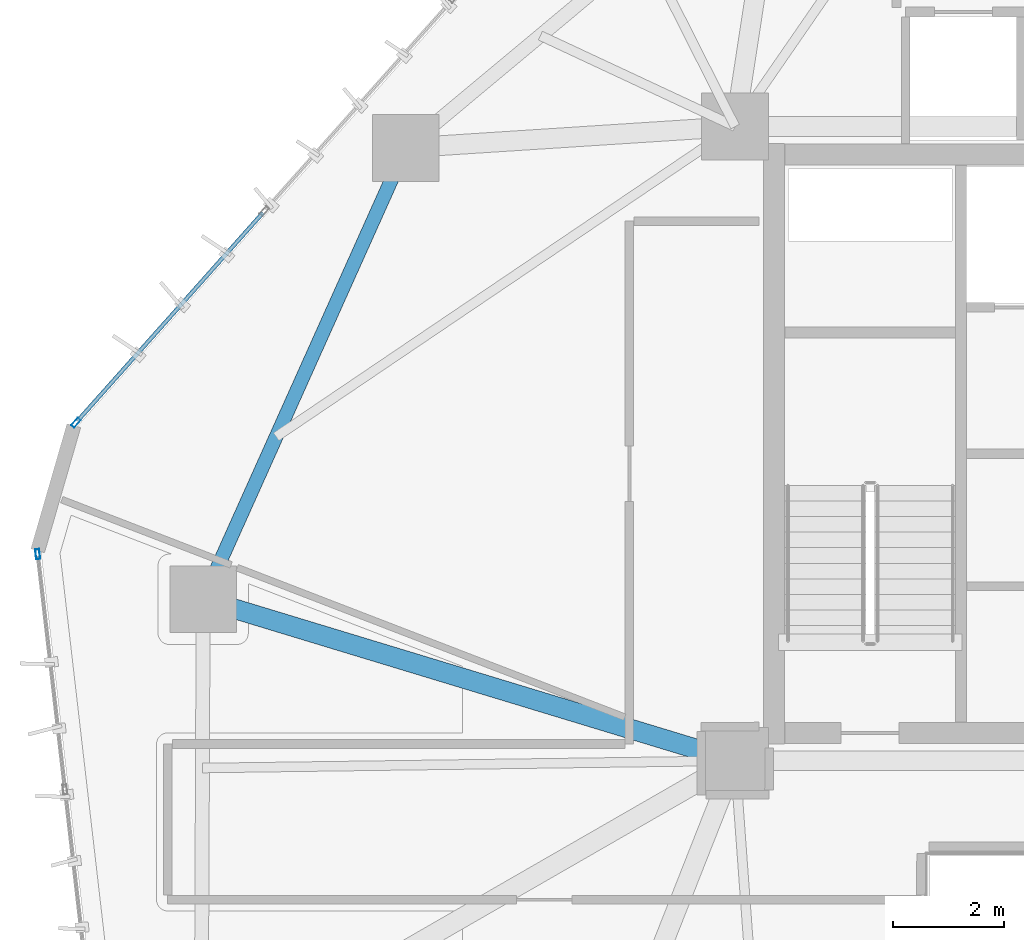
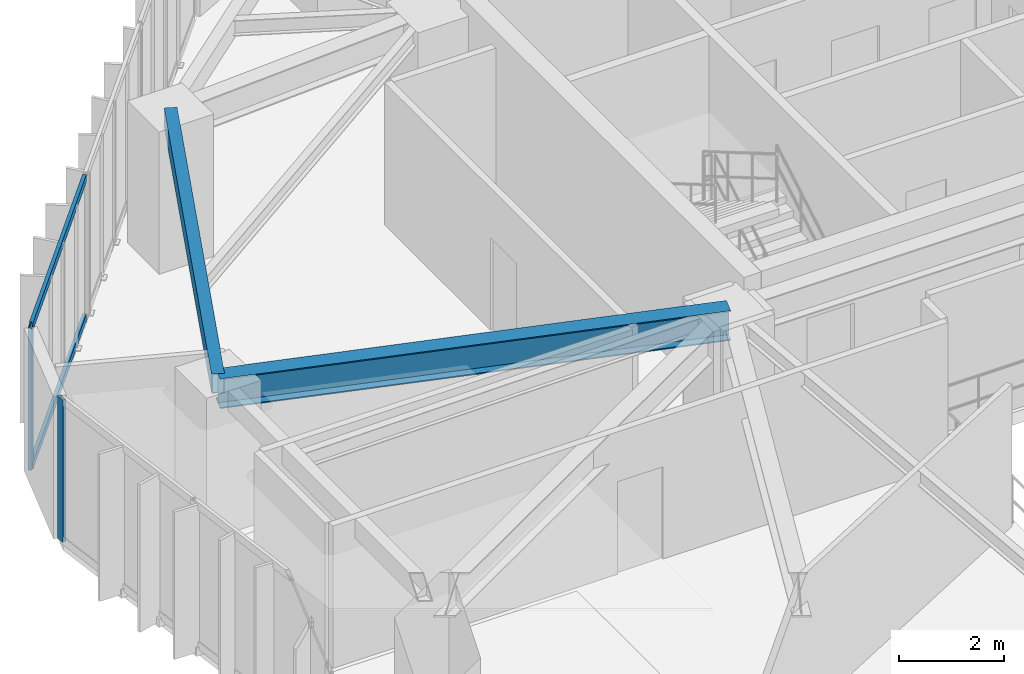
# One storey, part 9 of 23: 4 members, 2 beams, 2 elements without a shape of their own.
"""IFC4 building model written with IfcOpenShell, lengths in metres."""

from ifc_helpers import new_model, si_unit, direction, frame, origin, origin_2d, place, context, subcontext, project, spatial, hollow_rectangle, i_section, extrude, source, transform, mapped, material, layer, layer_set, material_profile, profile_set, type_object, type_shapes, element, aggregate, save


model = new_model("IFC4")

# Units and contexts
model_context = context("Model", 3, precision=1e-05, world=origin(), true_north=direction((0.0, 1.0)))
body_context = subcontext(model_context, "Body", "Model", "MODEL_VIEW")
ifc_project = project(units=[si_unit("LENGTHUNIT", "METRE"), si_unit("AREAUNIT", "SQUARE_METRE"), si_unit("VOLUMEUNIT", "CUBIC_METRE"), si_unit("PLANEANGLEUNIT", "RADIAN"), si_unit("MASSUNIT", "GRAM", prefix="KILO")], contexts=[model_context])

# Site, building, storey
site_placement = place(None, origin())
site = spatial("IfcSite", under=ifc_project, at=site_placement, CompositionType="ELEMENT")
building_placement = place(site_placement, origin())
building = spatial("IfcBuilding", under=site, at=building_placement, Name="Talar Marvaseh", CompositionType="ELEMENT")
storey_placement = place(building_placement, frame((0.0, 0.0, 103.800048828125)))
storey = spatial("IfcBuildingStorey", under=building, at=storey_placement, Name="L26", CompositionType="ELEMENT", Elevation=103.800048828125)

# Beams
ifc_material_1 = material(Name="Steel S355", Category="steel")
ifc_material_profile_1 = material_profile(ifc_material_1, hollow_rectangle(XDim=0.25, YDim=0.449951171875, WallThickness=0.01611328125, at=origin_2d()), Name="RHS450x250x16")
ifc_profile_set_1 = profile_set([ifc_material_profile_1], Name="Steel S355")
beam_type_1 = type_object("IfcBeamType", Name="Zone 2 Perimeter Spandrel Beam RHS450x250x16", PredefinedType="SPANDREL", material=ifc_profile_set_1)
beam_1_placement = place(storey_placement, frame((9.137939453125, 28.402099609375, 3.0849609375), z_axis=(0.409461733275, 0.912327292688, 0.0), x_axis=(-0.912327292688, 0.409461733275, 0.0)))
element("IfcBeam", 1, at=beam_1_placement, inside=storey, type_object=beam_type_1, Name="L26 Zone 2 Perimeter Spandrel Beam RHS450x250x16", PredefinedType="SPANDREL", context=body_context, shape_type="SweptSolid", body=[
    extrude(hollow_rectangle(XDim=0.25, YDim=0.449951171875, WallThickness=0.01611328125, at=origin_2d()), origin(), (0.0, 0.0, 1.0), 8.894775390625),
])
ifc_material_profile_2 = material_profile(ifc_material_1, i_section(OverallWidth=0.35498046875, OverallDepth=0.695068359375, WebThickness=0.015380859375, FlangeThickness=0.02490234375, at=origin_2d()), Name="W690x217")
ifc_profile_set_2 = profile_set([ifc_material_profile_2], Name="Steel S355")
beam_type_2 = type_object("IfcBeamType", Name="Zone 2 Radial Floor Girder W690x217", PredefinedType="BEAM", material=ifc_profile_set_2)
beam_2_placement = place(storey_placement, frame((9.137939453125, 28.402099609375, 2.96240234375), z_axis=(0.956898764921, -0.290421682546, 0.0), x_axis=(0.290421682546, 0.956898764921, 0.0)))
element("IfcBeam", 2, at=beam_2_placement, inside=storey, type_object=beam_type_2, Name="L26 Zone 2 Radial Floor Girder W690x217", PredefinedType="BEAM", context=body_context, shape_type="SweptSolid", body=[
    extrude(i_section(OverallWidth=0.35498046875, OverallDepth=0.695068359375, WebThickness=0.015380859375, FlangeThickness=0.02490234375, at=origin_2d()), origin(), (0.0, 0.0, 1.0), 9.99267578125),
])

# Curtain wall, member
ifc_material_2 = material(Name="Architectural Aluminium", Category="aluminium")
ifc_layer = layer(ifc_material_2, 0.199951171875)
ifc_layer_set = layer_set([ifc_layer], Name="Architectural Aluminium")
curtain_wall_type = type_object("IfcCurtainWallType", Name="Unitised Acoustic Library Curtain Wall Z2", PredefinedType="NOTDEFINED", material=ifc_layer_set)
curtain_wall_1_placement = place(storey_placement, origin())
curtain_wall_1 = element("IfcCurtainWall", 3, at=curtain_wall_1_placement, inside=storey, type_object=curtain_wall_type, Name="L26 Unitised Acoustic Library Curtain Wall Z2", PredefinedType="NOTDEFINED")
ifc_material_profile_3 = material_profile(ifc_material_2, hollow_rectangle(XDim=0.074951171875, YDim=0.179931640625, WallThickness=0.0048828125, at=origin_2d()), Name="RHS180x75x5")
ifc_profile_set_3 = profile_set([ifc_material_profile_3], Name="Architectural Aluminium")
member_type_1 = type_object("IfcMemberType", Name="Unitised Curtain Wall Standard Mullion RHS180x75x5", PredefinedType="MULLION", material=ifc_profile_set_3)
shared_shape_1 = source(origin(), body_context, "Body", "SweptSolid", [
    extrude(hollow_rectangle(XDim=0.074951171875, YDim=0.179931640625, WallThickness=0.0048828125, at=origin_2d()), origin(), (0.0, 0.0, 1.0), 3.31005859375),
])
type_shapes(member_type_1, [shared_shape_1])
member_1_placement = place(storey_placement, frame((6.164306640625, 29.21435546875, 0.0), z_axis=(0.0, 0.0, 1.0), x_axis=(-0.99338052626, -0.114870057226, 0.0)))
member_1 = element("IfcMember", 4, at=member_1_placement, type_object=member_type_1, Name="CW-Z2 mullion 5", PredefinedType="MULLION", context=body_context, shape_type="MappedRepresentation", body=[
    mapped(shared_shape_1, transform((0.0, 0.0, 0.0), x_axis=(1.0, 0.0, 0.0), y_axis=(0.0, 1.0, 0.0), z_axis=(0.0, 0.0, 1.0), scale=1.0)),
])
aggregate(curtain_wall_1, [member_1])

# Curtain wall, members
curtain_wall_2_placement = place(storey_placement, origin())
curtain_wall_2 = element("IfcCurtainWall", 5, at=curtain_wall_2_placement, inside=storey, type_object=curtain_wall_type, Name="L26 Unitised Acoustic Library Curtain Wall Z2", PredefinedType="NOTDEFINED")
member_2_placement = place(storey_placement, frame((6.849853515625, 31.5751953125, 0.0), z_axis=(0.0, 0.0, 1.0), x_axis=(-0.746844063395, 0.664999206745, 0.0)))
member_2 = element("IfcMember", 6, at=member_2_placement, type_object=member_type_1, Name="CW-Z2 mullion 1", PredefinedType="MULLION", context=body_context, shape_type="MappedRepresentation", body=[
    mapped(shared_shape_1, transform((0.0, 0.0, 0.0), x_axis=(1.0, 0.0, 0.0), y_axis=(0.0, 1.0, 0.0), z_axis=(0.0, 0.0, 1.0), scale=1.0)),
])
ifc_material_profile_4 = material_profile(ifc_material_2, hollow_rectangle(XDim=0.074951171875, YDim=0.179931640625, WallThickness=0.0048828125, at=origin_2d()), Name="RHS180x75x5")
ifc_profile_set_4 = profile_set([ifc_material_profile_4], Name="Architectural Aluminium")
member_type_2 = type_object("IfcMemberType", Name="Unitised Curtain Wall Transom RHS180x75x5", PredefinedType="USERDEFINED", material=ifc_profile_set_4)
shared_shape_2 = source(origin(), body_context, "Body", "SweptSolid", [
    extrude(hollow_rectangle(XDim=0.074951171875, YDim=0.179931640625, WallThickness=0.0048828125, at=origin_2d()), origin(), (0.0, 0.0, 1.0), 5.017578125),
])
type_shapes(member_type_2, [shared_shape_2])
member_3_placement = place(storey_placement, frame((6.874755859375, 31.60302734375, 0.037353515625), z_axis=(0.665000841661, 0.746842607643, 0.0), x_axis=(-0.746842607643, 0.665000841661, 0.0)))
member_3 = element("IfcMember", 7, at=member_3_placement, type_object=member_type_2, Name="CW-Z2 transom 1.1", ObjectType="TRANSOM", PredefinedType="USERDEFINED", context=body_context, shape_type="MappedRepresentation", body=[
    mapped(shared_shape_2, transform((0.0, 0.0, 0.0), x_axis=(1.0, 0.0, 0.0), y_axis=(0.0, 1.0, 0.0), z_axis=(0.0, 0.0, 1.0), scale=1.0)),
])
member_4_placement = place(storey_placement, frame((6.874755859375, 31.60302734375, 3.2724609375), z_axis=(0.665000841661, 0.746842607643, 0.0), x_axis=(-0.746842607643, 0.665000841661, 0.0)))
member_4 = element("IfcMember", 8, at=member_4_placement, type_object=member_type_2, Name="CW-Z2 transom 1.2", ObjectType="TRANSOM", PredefinedType="USERDEFINED", context=body_context, shape_type="MappedRepresentation", body=[
    mapped(shared_shape_2, transform((0.0, 0.0, 0.0), x_axis=(1.0, 0.0, 0.0), y_axis=(0.0, 1.0, 0.0), z_axis=(0.0, 0.0, 1.0), scale=1.0)),
])
aggregate(curtain_wall_2, [member_2, member_3, member_4])

save(model, "model.ifc")
